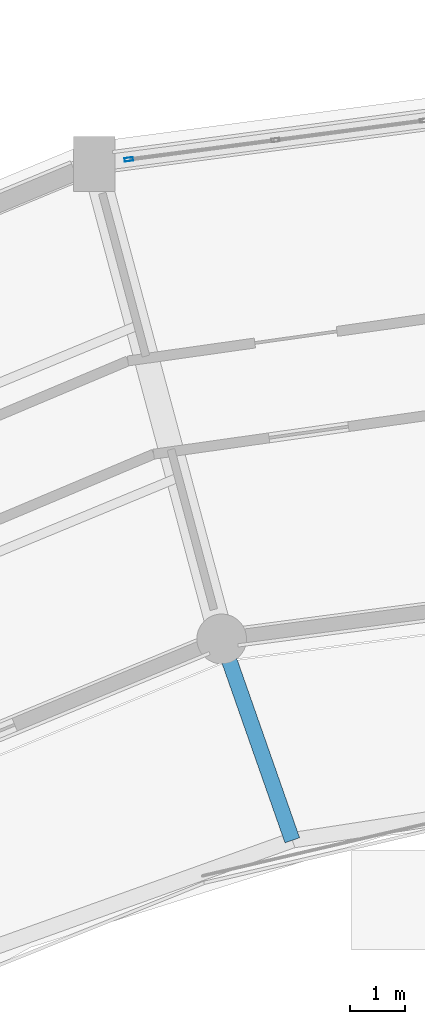
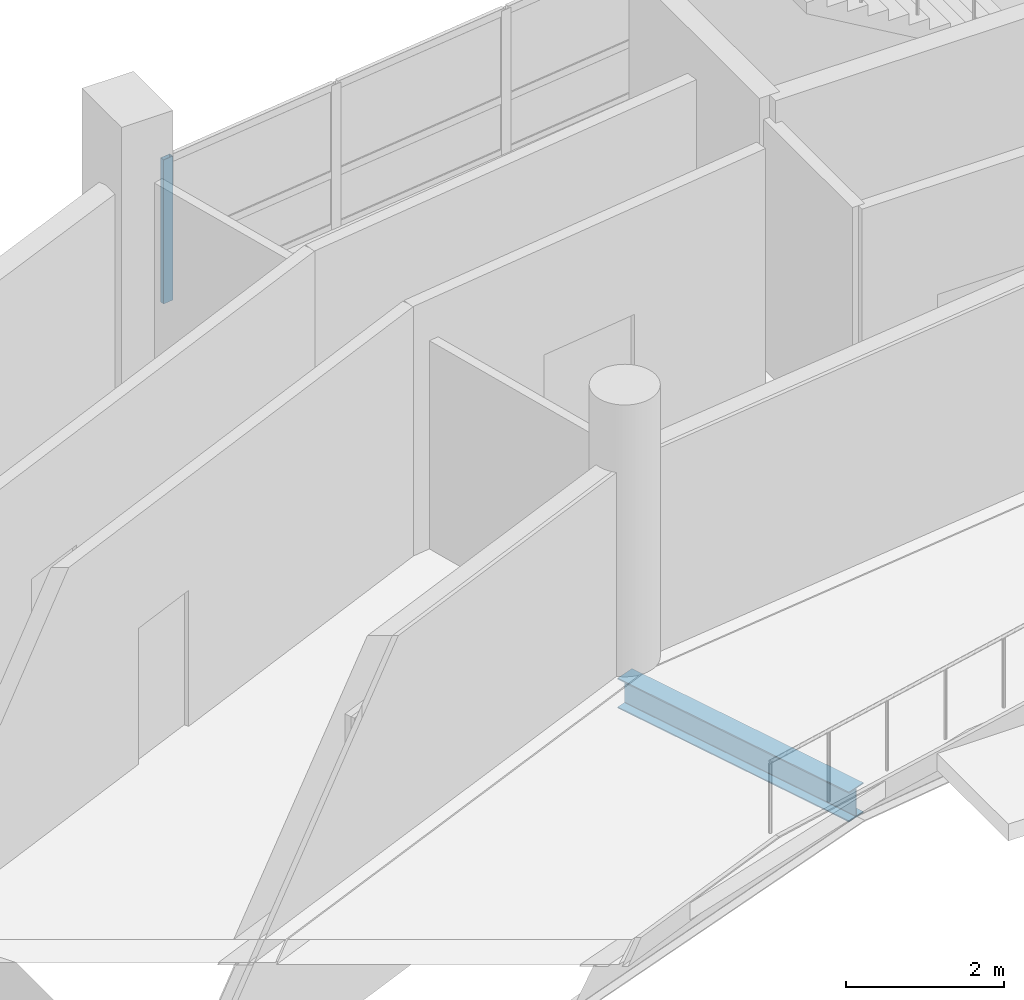
# One storey, part 58 of 128: 1 beam, 1 member, 1 element without a shape of its own.
"""IFC4 building model written with IfcOpenShell, lengths in metres."""

import ifcopenshell
import ifcopenshell.guid

model = None  # the IFC model being written
_history = None  # IfcOwnerHistory: only IFC2X3 demands one
_inside = {}  # id of a spatial element -> (the spatial element, [elements in it])
_under = {}  # id of a project, library or spatial element -> (it, [spatial elements below it])
_declared = {}  # id of a project -> (the project, [libraries it declares])
_typed = {}  # id of a type object -> (the type object, [elements of that type])
_made_of = {}  # id of a material, layer set ... -> (it, [elements and type objects made of it])


def new_model(schema):
    """Start an empty IFC model of exactly this schema.

    Asked for "IFC4X3", IfcOpenShell would pick the latest addendum, in which some entities
    have other attributes; the version numbers below select the first issue.
    IFC2X3 requires an IfcOwnerHistory on every rooted entity: one is made here for all.
    """
    global model, _history
    if schema == "IFC4X3":
        model = ifcopenshell.file(schema_version=(4, 3, 0, 0))
    else:
        model = ifcopenshell.file(schema=schema)
    _inside.clear()
    _under.clear()
    _declared.clear()
    _typed.clear()
    _made_of.clear()
    _history = None
    if model.schema == "IFC2X3":
        org = make("IfcOrganization", Name="unknown")
        user = make(
            "IfcPersonAndOrganization",
            ThePerson=make("IfcPerson", FamilyName="unknown"),
            TheOrganization=org,
        )
        app = make(
            "IfcApplication",
            ApplicationDeveloper=org,
            Version="unknown",
            ApplicationFullName="unknown",
            ApplicationIdentifier="unknown",
        )
        _history = make(
            "IfcOwnerHistory",
            OwningUser=user,
            OwningApplication=app,
            ChangeAction="ADDED",
            CreationDate=0,
        )
    return model


def make(cls, **values):
    """One entity of the class cls with the attributes given. An attribute that is None is left unset."""
    return model.create_entity(
        cls, **{name: value for name, value in values.items() if value is not None}
    )


def rooted(cls, **values):
    """An entity with a GlobalId (a new one), such as an element, a storey or a relation."""
    return make(cls, GlobalId=ifcopenshell.guid.new(), OwnerHistory=_history, **values)


def si_unit(unit_type, name, prefix=None):
    """IfcSIUnit, for example si_unit("LENGTHUNIT", "METRE", prefix="MILLI")."""
    return make("IfcSIUnit", UnitType=unit_type, Prefix=prefix, Name=name)


def assignment(units):
    """IfcUnitAssignment: the units of a project."""
    return None if units is None else make("IfcUnitAssignment", Units=units)


def point(xyz):
    """IfcCartesianPoint."""
    return None if xyz is None else make("IfcCartesianPoint", Coordinates=xyz)


def direction(xyz):
    """IfcDirection."""
    return None if xyz is None else make("IfcDirection", DirectionRatios=xyz)


def frame(location, z_axis=None, x_axis=None):
    """IfcAxis2Placement3D, a coordinate frame: its origin and axes. An axis left out is left unset."""
    return make(
        "IfcAxis2Placement3D",
        Location=point(location),
        Axis=direction(z_axis),
        RefDirection=direction(x_axis),
    )


def frame_2d(location, x_axis=None):
    """IfcAxis2Placement2D, a coordinate frame in the plane: its origin and x axis."""
    return make(
        "IfcAxis2Placement2D", Location=point(location), RefDirection=direction(x_axis)
    )


def origin():
    """The frame at (0, 0, 0) with its axes left unset."""
    return frame((0.0, 0.0, 0.0))


def origin_2d():
    """The frame at (0, 0) in the plane with its x axis left unset."""
    return frame_2d((0.0, 0.0))


def place(relative_to, where):
    """IfcLocalPlacement: puts the frame where relative to a parent placement (None: the world)."""
    return make(
        "IfcLocalPlacement", PlacementRelTo=relative_to, RelativePlacement=where
    )


def context(
    kind, dimensions, precision=None, world=None, true_north=None, identifier=None
):
    """IfcGeometricRepresentationContext, for example the 3D "Model" context."""
    return make(
        "IfcGeometricRepresentationContext",
        ContextIdentifier=identifier,
        ContextType=kind,
        CoordinateSpaceDimension=dimensions,
        Precision=precision,
        WorldCoordinateSystem=world,
        TrueNorth=true_north,
    )


def subcontext(parent, identifier, kind, view, scale=None):
    """IfcGeometricRepresentationSubContext, for example "Body" below "Model"."""
    return make(
        "IfcGeometricRepresentationSubContext",
        ContextIdentifier=identifier,
        ContextType=kind,
        ParentContext=parent,
        TargetScale=scale,
        TargetView=view,
    )


def project(units=None, contexts=None):
    """IfcProject with its units and contexts."""
    return rooted(
        "IfcProject",
        Name="project",
        RepresentationContexts=contexts,
        UnitsInContext=assignment(units),
    )


def spatial(cls, under=None, at=None, **own):
    """A site, building, storey or space (cls), placed at a placement, below another one or the project."""
    s = rooted(cls, ObjectPlacement=at, **own)
    if under is not None:
        _under.setdefault(under.id(), (under, []))[1].append(s)
    return s


def profile(cls, at=None, kind="AREA", **sizes):
    """A parametric profile (cls). Its sizes go by their IFC names, for example OverallWidth=200.0."""
    return make(cls, ProfileType=kind, Position=at, **sizes)


def hollow_rectangle(**sizes):
    """IfcRectangleHollowProfileDef."""
    return profile("IfcRectangleHollowProfileDef", **sizes)


def i_section(**sizes):
    """IfcIShapeProfileDef."""
    return profile("IfcIShapeProfileDef", **sizes)


def extrude(swept, where, along, depth):
    """IfcExtrudedAreaSolid: the profile swept, set in the frame where, extruded along a direction by depth."""
    return make(
        "IfcExtrudedAreaSolid",
        SweptArea=swept,
        Position=where,
        ExtrudedDirection=direction(along),
        Depth=depth,
    )


def shape(context_of_items, identifier, shape_type, items):
    """IfcShapeRepresentation: the items that make up one representation, for example the "Body"."""
    return make(
        "IfcShapeRepresentation",
        ContextOfItems=context_of_items,
        RepresentationIdentifier=identifier,
        RepresentationType=shape_type,
        Items=items,
    )


def material(Name=None, Category=None):
    """IfcMaterial."""
    return make("IfcMaterial", Name=Name, Category=Category)


def layer(
    of_material, thickness, ventilated=None, Name=None, Category=None, Priority=None
):
    """IfcMaterialLayer: one layer of a wall or slab, of a material (None: an air gap)."""
    return make(
        "IfcMaterialLayer",
        Material=of_material,
        LayerThickness=thickness,
        IsVentilated=ventilated,
        Name=Name,
        Category=Category,
        Priority=Priority,
    )


def layer_set(layers, Name=None):
    """IfcMaterialLayerSet."""
    return make("IfcMaterialLayerSet", MaterialLayers=layers, LayerSetName=Name)


def material_profile(
    of_material, cross_section, Name=None, Category=None, Priority=None
):
    """IfcMaterialProfile: a cross section and its material."""
    return make(
        "IfcMaterialProfile",
        Name=Name,
        Material=of_material,
        Profile=cross_section,
        Priority=Priority,
        Category=Category,
    )


def profile_set(profiles, Name=None, composite=None):
    """IfcMaterialProfileSet."""
    return make(
        "IfcMaterialProfileSet",
        Name=Name,
        MaterialProfiles=profiles,
        CompositeProfile=composite,
    )


def made_of(thing, what):
    """Note that an element or type object is made of a material, layer set ...; save() writes the relation."""
    if what is not None:
        _made_of.setdefault(what.id(), (what, []))[1].append(thing)
    return thing


def type_object(cls, material=None, **own):
    """A type object (cls), such as IfcWallType, which elements share."""
    return made_of(rooted(cls, **own), material)


def element(
    cls,
    number,
    at=None,
    inside=None,
    cuts=None,
    type_object=None,
    material=None,
    context=None,
    identifier="Body",
    shape_type=None,
    held_by="IfcProductDefinitionShape",
    body=None,
    shapes=None,
    **own,
):
    """One element of the class cls, such as IfcWall. Its Tag is "e" and its number.

    at: its placement. inside: the storey or other place that contains it. cuts: it is an
    opening in that element (IfcRelVoidsElement). A single representation is given by context,
    identifier, shape_type and body (its items); several are given by shapes. held_by: the class
    of the entity that holds the representations. save() writes the other relations.
    """
    e = rooted(cls, Tag="e%d" % number, ObjectPlacement=at, **own)
    if body is not None:
        shapes = [shape(context, identifier, shape_type, body)]
    if shapes is not None:
        e.Representation = make(held_by, Representations=shapes)
    if inside is not None:
        _inside.setdefault(inside.id(), (inside, []))[1].append(e)
    if cuts is not None:
        rooted(
            "IfcRelVoidsElement", RelatingBuildingElement=cuts, RelatedOpeningElement=e
        )
    if type_object is not None:
        _typed.setdefault(type_object.id(), (type_object, []))[1].append(e)
    return made_of(e, material)


def aggregate(whole, parts):
    """IfcRelAggregates: a whole, such as a stair, and the parts it consists of."""
    return rooted("IfcRelAggregates", RelatingObject=whole, RelatedObjects=parts)


def save(model, path):
    """Write the relations noted so far, then the file.

    IfcRelAggregates (storeys below a building ...), IfcRelContainedInSpatialStructure (elements
    in a storey), IfcRelDefinesByType, IfcRelAssociatesMaterial and IfcRelDeclares: one each for
    every whole, place, type object, material and project.
    """
    for whole, parts in _under.values():
        aggregate(whole, parts)
    for where, things in _inside.values():
        rooted(
            "IfcRelContainedInSpatialStructure",
            RelatedElements=things,
            RelatingStructure=where,
        )
    for kind, things in _typed.values():
        rooted("IfcRelDefinesByType", RelatedObjects=things, RelatingType=kind)
    for what, things in _made_of.values():
        rooted("IfcRelAssociatesMaterial", RelatedObjects=things, RelatingMaterial=what)
    for by, libraries in _declared.values():
        rooted("IfcRelDeclares", RelatingContext=by, RelatedDefinitions=libraries)
    model.write(path)


model = new_model("IFC4")

# Units and contexts
model_context = context("Model", 3, precision=1e-05, world=origin(), true_north=direction((0.0, 1.0)))
body_context = subcontext(model_context, "Body", "Model", "MODEL_VIEW")
ifc_project = project(units=[si_unit("LENGTHUNIT", "METRE"), si_unit("AREAUNIT", "SQUARE_METRE"), si_unit("VOLUMEUNIT", "CUBIC_METRE"), si_unit("PLANEANGLEUNIT", "RADIAN"), si_unit("MASSUNIT", "GRAM", prefix="KILO")], contexts=[model_context])

# Site, building, storey
site_placement = place(None, origin())
site = spatial("IfcSite", under=ifc_project, at=site_placement, CompositionType="ELEMENT")
building_placement = place(site_placement, origin())
building = spatial("IfcBuilding", under=site, at=building_placement, Name="Vespera Passage Community Centre", CompositionType="ELEMENT")
storey_placement = place(building_placement, frame((0.0, 0.0, 4.5)))
storey = spatial("IfcBuildingStorey", under=building, at=storey_placement, Name="L01", CompositionType="ELEMENT", Elevation=4.5)

# Beam
ifc_material_1 = material(Name="Steel ASTM A992 Grade 50", Category="steel")
ifc_material_profile_1 = material_profile(ifc_material_1, i_section(OverallWidth=0.280517578125, OverallDepth=0.46240234375, WebThickness=0.0107421875, FlangeThickness=0.017333984375, FilletRadius=0.01025390625, at=origin_2d()), Name="W18X76")
ifc_profile_set_1 = profile_set([ifc_material_profile_1], Name="Steel ASTM A992 Grade 50")
beam_type = type_object("IfcBeamType", Name="BM-RB-W18X76E", PredefinedType="SPANDREL", material=ifc_profile_set_1)
beam_placement = place(storey_placement, frame((69.64990234375, 97.78759765625, -0.4912109375), z_axis=(-0.330905040111, 0.943664058036, 0.0), x_axis=(-0.943664058036, -0.330905040111, 0.0)))
element("IfcBeam", 1, at=beam_placement, inside=storey, type_object=beam_type, Name="Courtyard Terrace Radial Beam 2", PredefinedType="SPANDREL", context=body_context, shape_type="SweptSolid", body=[
    extrude(i_section(OverallWidth=0.280517578125, OverallDepth=0.46240234375, WebThickness=0.0107421875, FlangeThickness=0.017333984375, FilletRadius=0.01025390625, at=origin_2d()), origin(), (0.0, 0.0, 1.0), 3.8623046875),
])

# Curtain wall, member
ifc_material_2 = material(Name="Anodized aluminium 6063-T6", Category="aluminium")
ifc_layer = layer(ifc_material_2, 0.159912109375)
ifc_layer_set = layer_set([ifc_layer], Name="Anodized aluminium 6063-T6")
curtain_wall_type = type_object("IfcCurtainWallType", Name="CW-15E", PredefinedType="NOTDEFINED", material=ifc_layer_set)
curtain_wall_placement = place(storey_placement, origin())
curtain_wall = element("IfcCurtainWall", 2, at=curtain_wall_placement, inside=storey, type_object=curtain_wall_type, Name="V4 L01 Outer Ribbon Curtain Wall 6", PredefinedType="NOTDEFINED")
ifc_material_3 = material(Name="Anodized aluminium 6063-T6", Category="aluminium")
ifc_material_profile_2 = material_profile(ifc_material_3, hollow_rectangle(XDim=0.06494140625, YDim=0.14990234375, WallThickness=0.00390625, InnerFilletRadius=0.001953125, OuterFilletRadius=0.00390625, at=origin_2d()), Name="ALU150X65X4")
ifc_profile_set_2 = profile_set([ifc_material_profile_2], Name="Anodized aluminium 6063-T6")
member_type = type_object("IfcMemberType", Name="MB-CWM-150E", PredefinedType="MULLION", material=ifc_profile_set_2)
member_placement = place(storey_placement, frame((66.688720703125, 110.11083984375, 0.820068359375), z_axis=(0.0, 0.0, 1.0), x_axis=(-0.130530818696, 0.991444252276, 0.0)))
member = element("IfcMember", 3, at=member_placement, type_object=member_type, Name="CW-15E mullion 1", PredefinedType="MULLION", context=body_context, shape_type="SweptSolid", body=[
    extrude(hollow_rectangle(XDim=0.06494140625, YDim=0.14990234375, WallThickness=0.00390625, InnerFilletRadius=0.001953125, OuterFilletRadius=0.00390625, at=origin_2d()), origin(), (0.0, 0.0, 1.0), 2.2255859375),
])
aggregate(curtain_wall, [member])

save(model, "model.ifc")
